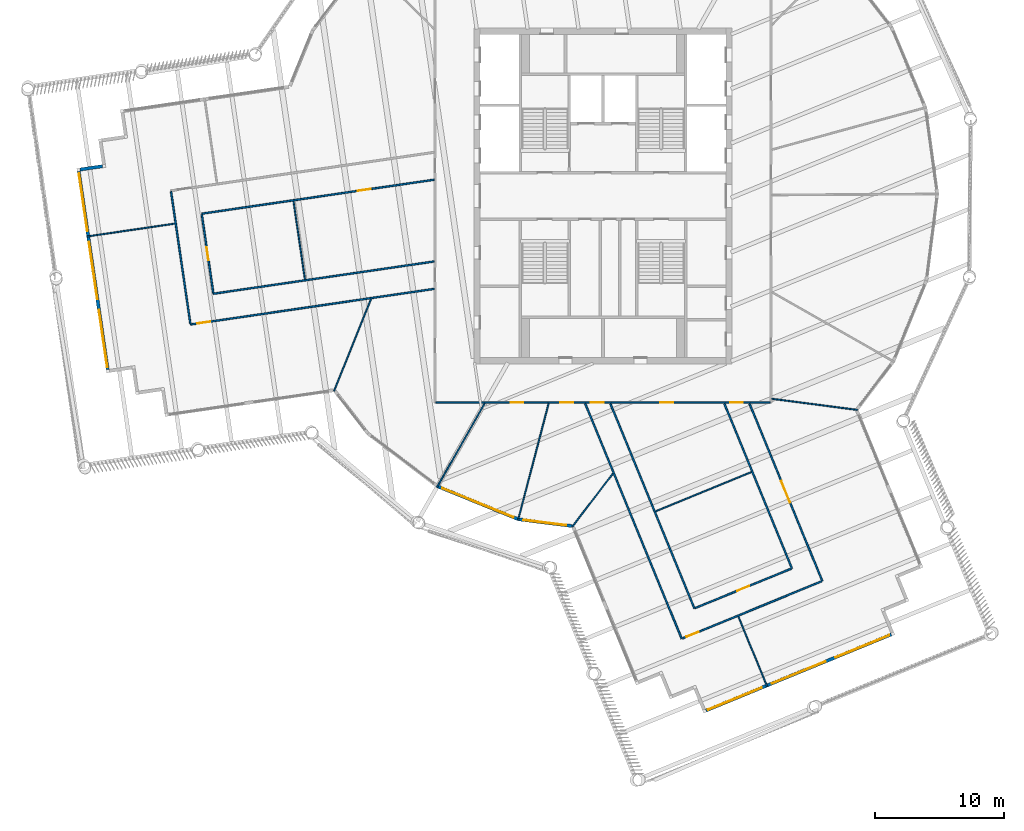
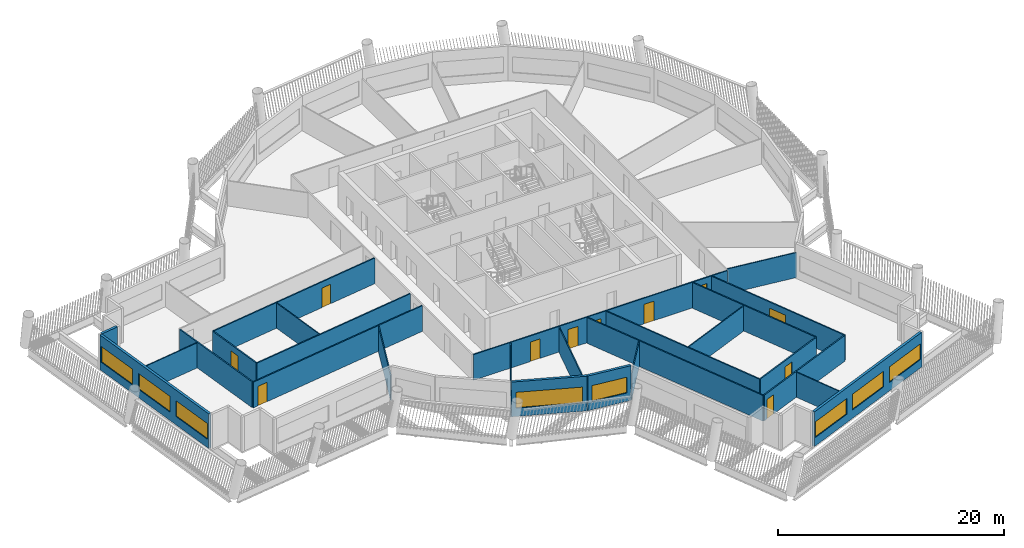
# One storey, part 3 of 15: 26 walls, 11 doors, 8 windows, 19 openings.
"""IFC4 building model written with IfcOpenShell, lengths in metres."""

from ifc_helpers import new_model, si_unit, direction, frame, frame_2d, origin, place, context, subcontext, project, spatial, rectangle, extrude, material, layer, layer_set, type_object, element, fill, save


model = new_model("IFC4")

# Units and contexts
model_context = context("Model", 3, precision=1e-05, world=origin(), true_north=direction((0.0, 1.0)))
body_context = subcontext(model_context, "Body", "Model", "MODEL_VIEW")
ifc_project = project(units=[si_unit("LENGTHUNIT", "METRE"), si_unit("AREAUNIT", "SQUARE_METRE"), si_unit("VOLUMEUNIT", "CUBIC_METRE"), si_unit("PLANEANGLEUNIT", "RADIAN"), si_unit("MASSUNIT", "GRAM", prefix="KILO")], contexts=[model_context])

# Site, building, storey
site_placement = place(None, origin())
site = spatial("IfcSite", under=ifc_project, at=site_placement, CompositionType="ELEMENT")
building_placement = place(site_placement, origin())
building = spatial("IfcBuilding", under=site, at=building_placement, Name="Tarsis Ring Headquarters", CompositionType="ELEMENT")
storey_placement = place(building_placement, frame((0.0, 0.0, 319.699951171875)))
storey = spatial("IfcBuildingStorey", under=building, at=storey_placement, Name="L75", CompositionType="ELEMENT", Elevation=319.699951171875)

# Walls
ifc_material_1 = material(Name="Gypsum board on steel studs", Category="steel")
ifc_layer_1 = layer(ifc_material_1, 0.10009765625)
ifc_layer_set_1 = layer_set([ifc_layer_1], Name="FL partition 100 unrated")
wall_type_1 = type_object("IfcWallType", Name="FL partition 100 unrated", PredefinedType="PARTITIONING", material=ifc_layer_set_1)
wall_1_placement = place(storey_placement, frame((-6.57568359375, -25.100830078125, 0.0), z_axis=(0.0, 0.0, 1.0), x_axis=(0.253421140108, 0.967356049108, 0.0)))
element("IfcWall", 1, at=wall_1_placement, inside=storey, type_object=wall_type_1, Name="Partition PW3", PredefinedType="PARTITIONING", context=body_context, shape_type="SweptSolid", body=[
    extrude(rectangle(XDim=9.338134765625, YDim=0.10009765625, at=frame_2d((4.6689453125, 0.0))), origin(), (0.0, 0.0, 1.0), 2.699951171875),
])
wall_2_placement = place(storey_placement, frame((4.06689453125, -24.414794921875, 0.0), z_axis=(0.0, 0.0, 1.0), x_axis=(0.92507539987, 0.379783496949, 0.0)))
element("IfcWall", 2, at=wall_2_placement, inside=storey, type_object=wall_type_1, Name="Partition PW3", PredefinedType="PARTITIONING", context=body_context, shape_type="SweptSolid", body=[
    extrude(rectangle(XDim=8.02001953125, YDim=0.10009765625, at=frame_2d((4.010009765625, 0.0))), origin(), (0.0, 0.0, 1.0), 2.699951171875),
])
wall_3_placement = place(storey_placement, frame((-20.81396484375, -15.095703125, 0.0), z_axis=(0.0, 0.0, 1.0), x_axis=(0.373483972618, 0.92763663263, 0.0)))
element("IfcWall", 3, at=wall_3_placement, inside=storey, type_object=wall_type_1, Name="Partition PW3", PredefinedType="PARTITIONING", context=body_context, shape_type="SweptSolid", body=[
    extrude(rectangle(XDim=7.657958984375, YDim=0.10009765625, at=frame_2d((3.8291015625, 0.0))), origin(), (0.0, 0.0, 1.0), 2.699951171875),
])
wall_4_placement = place(storey_placement, frame((-12.84814453125, -22.543701171875, 0.0), z_axis=(0.0, 0.0, 1.0), x_axis=(0.495145844199, 0.86880987159, 0.0)))
element("IfcWall", 4, at=wall_4_placement, inside=storey, type_object=wall_type_1, Name="Partition PW3", PredefinedType="PARTITIONING", context=body_context, shape_type="SweptSolid", body=[
    extrude(rectangle(XDim=7.44189453125, YDim=0.10009765625, at=frame_2d((3.720947265625, 0.0))), origin(), (0.0, 0.0, 1.0), 2.699951171875),
])
wall_5_placement = place(storey_placement, frame((-39.916015625, -3.138916015625, 0.0), z_axis=(0.0, 0.0, 1.0), x_axis=(0.989475755125, 0.144698756107, 0.0)))
element("IfcWall", 5, at=wall_5_placement, inside=storey, type_object=wall_type_1, Name="Partition PW3", PredefinedType="PARTITIONING", context=body_context, shape_type="SweptSolid", body=[
    extrude(rectangle(XDim=6.85009765625, YDim=0.10009765625, at=frame_2d((3.425048828125, 0.0))), origin(), (0.0, 0.0, 1.0), 2.699951171875),
])
wall_6_placement = place(storey_placement, frame((13.06982421875, -15.701904296875, 0.0), z_axis=(0.0, 0.0, 1.0), x_axis=(0.991603468973, -0.129315738875, 0.0)))
element("IfcWall", 6, at=wall_6_placement, inside=storey, type_object=wall_type_1, Name="Partition PW3", PredefinedType="PARTITIONING", context=body_context, shape_type="SweptSolid", body=[
    extrude(rectangle(XDim=6.677734375, YDim=0.10009765625, at=frame_2d((3.3388671875, 0.0))), origin(), (0.0, 0.0, 1.0), 2.699951171875),
])
wall_7_placement = place(storey_placement, frame((-23.95263671875, -0.410400390625, 0.0), z_axis=(0.0, 0.0, 1.0), x_axis=(0.144693439651, -0.989476532578, 0.0)))
element("IfcWall", 7, at=wall_7_placement, inside=storey, type_object=wall_type_1, Name="Partition PW3", PredefinedType="PARTITIONING", context=body_context, shape_type="SweptSolid", body=[
    extrude(rectangle(XDim=6.119873046875, YDim=0.10009765625, at=frame_2d((3.06005859375, 0.0))), origin(), (0.0, 0.0, 1.0), 2.699951171875),
])
wall_8_placement = place(storey_placement, frame((10.476806640625, -32.5498046875, 0.0), z_axis=(0.0, 0.0, 1.0), x_axis=(0.379758425744, -0.925085692288, 0.0)))
element("IfcWall", 8, at=wall_8_placement, inside=storey, type_object=wall_type_1, Name="Partition PW3", PredefinedType="PARTITIONING", context=body_context, shape_type="SweptSolid", body=[
    extrude(rectangle(XDim=5.85986328125, YDim=0.10009765625, at=frame_2d((2.929931640625, 0.0))), origin(), (0.0, 0.0, 1.0), 2.699951171875),
])
wall_9_placement = place(storey_placement, frame((-2.38037109375, -25.601318359375, 0.0), z_axis=(0.0, 0.0, 1.0), x_axis=(0.607770904396, 0.794112415071, 0.0)))
element("IfcWall", 9, at=wall_9_placement, inside=storey, type_object=wall_type_1, Name="Partition PW3", PredefinedType="PARTITIONING", context=body_context, shape_type="SweptSolid", body=[
    extrude(rectangle(XDim=5.168701171875, YDim=0.10009765625, at=frame_2d((2.58447265625, 0.0))), origin(), (0.0, 0.0, 1.0), 2.699951171875),
])

# Wall, openings, doors
ifc_layer_2 = layer(ifc_material_1, 0.125)
ifc_layer_set_2 = layer_set([ifc_layer_2], Name="FL partition 125 EI 60 H2770")
wall_type_2 = type_object("IfcWallType", Name="FL partition 125 EI 60 H2770", PredefinedType="PARTITIONING", material=ifc_layer_set_2)
wall_10_placement = place(storey_placement, frame((-12.93994140625, -16.0, 0.0), z_axis=(0.0, 0.0, 1.0), x_axis=(1.0, 0.0, 0.0)))
wall_10 = element("IfcWall", 10, at=wall_10_placement, inside=storey, type_object=wall_type_2, Name="Partition PW1", PredefinedType="PARTITIONING", context=body_context, shape_type="SweptSolid", body=[
    extrude(rectangle(XDim=25.8798828125, YDim=0.125, at=frame_2d((12.93994140625, 0.0))), origin(), (0.0, 0.0, 1.0), 2.77001953125),
])
opening_1_placement = place(wall_10_placement, frame((9.6396484375, 0.0, 0.0)))
opening_1 = element("IfcOpeningElement", 11, at=opening_1_placement, cuts=wall_10, Name="Opening D75.14", PredefinedType="OPENING", context=body_context, shape_type="SweptSolid", body=[
    extrude(rectangle(XDim=1.0, YDim=2.10009765625, at=frame_2d((0.5, 1.050048828125))), frame((0.0, 0.072509765625, 0.0), z_axis=(0.0, -1.0, 0.0), x_axis=(1.0, 0.0, 0.0)), (0.0, 0.0, 1.0), 0.14501953125),
])
opening_2_placement = place(wall_10_placement, frame((5.784912109375, 0.0, 0.0)))
opening_2 = element("IfcOpeningElement", 12, at=opening_2_placement, cuts=wall_10, Name="Opening D75.15", PredefinedType="OPENING", context=body_context, shape_type="SweptSolid", body=[
    extrude(rectangle(XDim=1.0, YDim=2.10009765625, at=frame_2d((0.5, 1.050048828125))), frame((0.0, 0.072509765625, 0.0), z_axis=(0.0, -1.0, 0.0), x_axis=(1.0, 0.0, 0.0)), (0.0, 0.0, 1.0), 0.14501953125),
])
opening_3_placement = place(wall_10_placement, frame((17.38720703125, 0.0, 0.0)))
opening_3 = element("IfcOpeningElement", 13, at=opening_3_placement, cuts=wall_10, Name="Opening D75.19", PredefinedType="OPENING", context=body_context, shape_type="SweptSolid", body=[
    extrude(rectangle(XDim=1.0, YDim=2.10009765625, at=frame_2d((0.5, 1.050048828125))), frame((0.0, 0.072509765625, 0.0), z_axis=(0.0, -1.0, 0.0), x_axis=(1.0, 0.0, 0.0)), (0.0, 0.0, 1.0), 0.14501953125),
])
opening_4_placement = place(wall_10_placement, frame((12.00390625, 0.0, 0.0)))
opening_4 = element("IfcOpeningElement", 14, at=opening_4_placement, cuts=wall_10, Name="Opening D75.21", PredefinedType="OPENING", context=body_context, shape_type="SweptSolid", body=[
    extrude(rectangle(XDim=1.0, YDim=2.10009765625, at=frame_2d((0.5, 1.050048828125))), frame((0.0, 0.072509765625, 0.0), z_axis=(0.0, -1.0, 0.0), x_axis=(1.0, 0.0, 0.0)), (0.0, 0.0, 1.0), 0.14501953125),
])
opening_5_placement = place(wall_10_placement, frame((22.7705078125, 0.0, 0.0)))
opening_5 = element("IfcOpeningElement", 15, at=opening_5_placement, cuts=wall_10, Name="Opening D75.22", PredefinedType="OPENING", context=body_context, shape_type="SweptSolid", body=[
    extrude(rectangle(XDim=1.0, YDim=2.10009765625, at=frame_2d((0.5, 1.050048828125))), frame((0.0, 0.072509765625, 0.0), z_axis=(0.0, -1.0, 0.0), x_axis=(1.0, 0.0, 0.0)), (0.0, 0.0, 1.0), 0.14501953125),
])
ifc_material_2 = material(Name="Fire-rated timber door leaf in steel frame", Category="steel")
door_type_1 = type_object("IfcDoorType", Name="FL door FD60-1000", OperationType="NOTDEFINED", PredefinedType="DOOR", material=ifc_material_2)
door_1_placement = place(opening_1_placement, origin())
door_1 = element("IfcDoor", 16, at=door_1_placement, inside=storey, type_object=door_type_1, Name="Door D75.14", OperationType="SINGLE_SWING_LEFT", OverallHeight=2.10009765625, OverallWidth=1.0, PredefinedType="DOOR", context=body_context, shape_type="SweptSolid", body=[
    extrude(rectangle(XDim=1.0, YDim=2.10009765625, at=frame_2d((0.5, 1.050048828125))), frame((0.0, 0.02490234375, 0.0), z_axis=(0.0, -1.0, 0.0), x_axis=(1.0, 0.0, 0.0)), (0.0, 0.0, 1.0), 0.050048828125),
])
fill(opening_1, door_1)
door_2_placement = place(opening_2_placement, origin())
door_2 = element("IfcDoor", 17, at=door_2_placement, inside=storey, type_object=door_type_1, Name="Door D75.15", OperationType="SINGLE_SWING_RIGHT", OverallHeight=2.10009765625, OverallWidth=1.0, PredefinedType="DOOR", context=body_context, shape_type="SweptSolid", body=[
    extrude(rectangle(XDim=1.0, YDim=2.10009765625, at=frame_2d((0.5, 1.050048828125))), frame((0.0, 0.02490234375, 0.0), z_axis=(0.0, -1.0, 0.0), x_axis=(1.0, 0.0, 0.0)), (0.0, 0.0, 1.0), 0.050048828125),
])
fill(opening_2, door_2)
door_3_placement = place(opening_3_placement, origin())
door_3 = element("IfcDoor", 18, at=door_3_placement, inside=storey, type_object=door_type_1, Name="Door D75.19", OperationType="SINGLE_SWING_RIGHT", OverallHeight=2.10009765625, OverallWidth=1.0, PredefinedType="DOOR", context=body_context, shape_type="SweptSolid", body=[
    extrude(rectangle(XDim=1.0, YDim=2.10009765625, at=frame_2d((0.5, 1.050048828125))), frame((0.0, 0.02490234375, 0.0), z_axis=(0.0, -1.0, 0.0), x_axis=(1.0, 0.0, 0.0)), (0.0, 0.0, 1.0), 0.050048828125),
])
fill(opening_3, door_3)
door_4_placement = place(opening_4_placement, origin())
door_4 = element("IfcDoor", 19, at=door_4_placement, inside=storey, type_object=door_type_1, Name="Door D75.21", OperationType="SINGLE_SWING_RIGHT", OverallHeight=2.10009765625, OverallWidth=1.0, PredefinedType="DOOR", context=body_context, shape_type="SweptSolid", body=[
    extrude(rectangle(XDim=1.0, YDim=2.10009765625, at=frame_2d((0.5, 1.050048828125))), frame((0.0, 0.02490234375, 0.0), z_axis=(0.0, -1.0, 0.0), x_axis=(1.0, 0.0, 0.0)), (0.0, 0.0, 1.0), 0.050048828125),
])
fill(opening_4, door_4)
door_5_placement = place(opening_5_placement, origin())
door_5 = element("IfcDoor", 20, at=door_5_placement, inside=storey, type_object=door_type_1, Name="Door D75.22", OperationType="SINGLE_SWING_LEFT", OverallHeight=2.10009765625, OverallWidth=1.0, PredefinedType="DOOR", context=body_context, shape_type="SweptSolid", body=[
    extrude(rectangle(XDim=1.0, YDim=2.10009765625, at=frame_2d((0.5, 1.050048828125))), frame((0.0, 0.02490234375, 0.0), z_axis=(0.0, -1.0, 0.0), x_axis=(1.0, 0.0, 0.0)), (0.0, 0.0, 1.0), 0.050048828125),
])
fill(opening_5, door_5)

# Wall
wall_11_placement = place(storey_placement, frame((-1.375, -16.083251953125, 0.0), z_axis=(0.0, 0.0, 1.0), x_axis=(0.379781691817, -0.925076140953, 0.0)))
element("IfcWall", 21, at=wall_11_placement, inside=storey, type_object=wall_type_2, Name="Partition PW1", PredefinedType="PARTITIONING", context=body_context, shape_type="SweptSolid", body=[
    extrude(rectangle(XDim=19.6640625, YDim=0.125, at=frame_2d((9.83203125, 0.0))), origin(), (0.0, 0.0, 1.0), 2.77001953125),
])

# Wall, opening, door
wall_12_placement = place(storey_placement, frame((-31.925537109375, -9.954345703125, 0.0), z_axis=(0.0, 0.0, 1.0), x_axis=(0.989476995725, 0.144690272412, 0.0)))
wall_12 = element("IfcWall", 22, at=wall_12_placement, inside=storey, type_object=wall_type_2, Name="Partition PW1", PredefinedType="PARTITIONING", context=body_context, shape_type="SweptSolid", body=[
    extrude(rectangle(XDim=19.056640625, YDim=0.125, at=frame_2d((9.5283203125, 0.0))), origin(), (0.0, 0.0, 1.0), 2.77001953125),
])
opening_6_placement = place(wall_12_placement, frame((0.550048828125, 0.0, 0.0)))
opening_6 = element("IfcOpeningElement", 23, at=opening_6_placement, cuts=wall_12, Name="Opening D75.01", PredefinedType="OPENING", context=body_context, shape_type="SweptSolid", body=[
    extrude(rectangle(XDim=1.0, YDim=2.10009765625, at=frame_2d((0.5, 1.050048828125))), frame((0.0, 0.072509765625, 0.0), z_axis=(0.0, -1.0, 0.0), x_axis=(1.0, 0.0, 0.0)), (0.0, 0.0, 1.0), 0.14501953125),
])
door_6_placement = place(opening_6_placement, origin())
door_6 = element("IfcDoor", 24, at=door_6_placement, inside=storey, type_object=door_type_1, Name="Door D75.01", OperationType="SINGLE_SWING_RIGHT", OverallHeight=2.10009765625, OverallWidth=1.0, PredefinedType="DOOR", context=body_context, shape_type="SweptSolid", body=[
    extrude(rectangle(XDim=1.0, YDim=2.10009765625, at=frame_2d((0.5, 1.050048828125))), frame((0.0, 0.02490234375, 0.0), z_axis=(0.0, -1.0, 0.0), x_axis=(1.0, 0.0, 0.0)), (0.0, 0.0, 1.0), 0.050048828125),
])
fill(opening_6, door_6)

wall_13_placement = place(storey_placement, frame((-31.057373046875, -1.378662109375, 0.0), z_axis=(0.0, 0.0, 1.0), x_axis=(0.989475091285, 0.144703295493, 0.0)))
wall_13 = element("IfcWall", 25, at=wall_13_placement, inside=storey, type_object=wall_type_2, Name="Partition PW1", PredefinedType="PARTITIONING", context=body_context, shape_type="SweptSolid", body=[
    extrude(rectangle(XDim=18.179443359375, YDim=0.125, at=frame_2d((9.08984375, 0.0))), origin(), (0.0, 0.0, 1.0), 2.77001953125),
])
opening_7_placement = place(wall_13_placement, frame((12.208984375, 0.0, 0.0)))
opening_7 = element("IfcOpeningElement", 26, at=opening_7_placement, cuts=wall_13, Name="Opening D75.17", PredefinedType="OPENING", context=body_context, shape_type="SweptSolid", body=[
    extrude(rectangle(XDim=1.0, YDim=2.10009765625, at=frame_2d((0.5, 1.050048828125))), frame((0.0, 0.072509765625, 0.0), z_axis=(0.0, -1.0, 0.0), x_axis=(1.0, 0.0, 0.0)), (0.0, 0.0, 1.0), 0.14501953125),
])
door_7_placement = place(opening_7_placement, origin())
door_7 = element("IfcDoor", 27, at=door_7_placement, inside=storey, type_object=door_type_1, Name="Door D75.17", OperationType="SINGLE_SWING_RIGHT", OverallHeight=2.10009765625, OverallWidth=1.0, PredefinedType="DOOR", context=body_context, shape_type="SweptSolid", body=[
    extrude(rectangle(XDim=1.0, YDim=2.10009765625, at=frame_2d((0.5, 1.050048828125))), frame((0.0, 0.02490234375, 0.0), z_axis=(0.0, -1.0, 0.0), x_axis=(1.0, 0.0, 0.0)), (0.0, 0.0, 1.0), 0.050048828125),
])
fill(opening_7, door_7)

# Walls
wall_14_placement = place(storey_placement, frame((-30.151611328125, -7.57275390625, 0.0), z_axis=(0.0, 0.0, 1.0), x_axis=(0.989475982956, 0.144697198154, 0.0)))
element("IfcWall", 28, at=wall_14_placement, inside=storey, type_object=wall_type_2, Name="Partition PW1", PredefinedType="PARTITIONING", context=body_context, shape_type="SweptSolid", body=[
    extrude(rectangle(XDim=17.263916015625, YDim=0.125, at=frame_2d((8.6318359375, 0.0))), origin(), (0.0, 0.0, 1.0), 2.77001953125),
])
wall_15_placement = place(storey_placement, frame((0.57080078125, -16.083251953125, 0.0), z_axis=(0.0, 0.0, 1.0), x_axis=(0.379786626736, -0.925074114951, 0.0)))
element("IfcWall", 29, at=wall_15_placement, inside=storey, type_object=wall_type_2, Name="Partition PW1", PredefinedType="PARTITIONING", context=body_context, shape_type="SweptSolid", body=[
    extrude(rectangle(XDim=17.125244140625, YDim=0.125, at=frame_2d((8.5625, 0.0))), origin(), (0.0, 0.0, 1.0), 2.77001953125),
])

# Wall, opening, door
wall_16_placement = place(storey_placement, frame((11.33740234375, -16.083251953125, 0.0), z_axis=(0.0, 0.0, 1.0), x_axis=(0.379787848793, -0.925073613238, 0.0)))
wall_16 = element("IfcWall", 30, at=wall_16_placement, inside=storey, type_object=wall_type_2, Name="Partition PW1", PredefinedType="PARTITIONING", context=body_context, shape_type="SweptSolid", body=[
    extrude(rectangle(XDim=14.8359375, YDim=0.125, at=frame_2d((7.41796875, 0.0))), origin(), (0.0, 0.0, 1.0), 2.77001953125),
])
opening_8_placement = place(wall_16_placement, frame((6.472900390625, 0.0, 0.0)))
opening_8 = element("IfcOpeningElement", 31, at=opening_8_placement, cuts=wall_16, Name="Opening D75.12", PredefinedType="OPENING", context=body_context, shape_type="SweptSolid", body=[
    extrude(rectangle(XDim=1.800048828125, YDim=2.10009765625, at=frame_2d((0.89990234375, 1.050048828125))), frame((0.0, 0.072509765625, 0.0), z_axis=(0.0, -1.0, 0.0), x_axis=(1.0, 0.0, 0.0)), (0.0, 0.0, 1.0), 0.14501953125),
])
door_type_2 = type_object("IfcDoorType", Name="FL door FD60-1800", OperationType="DOUBLE_DOOR_SINGLE_SWING", PredefinedType="DOOR", material=ifc_material_2)
door_8_placement = place(opening_8_placement, origin())
door_8 = element("IfcDoor", 32, at=door_8_placement, inside=storey, type_object=door_type_2, Name="Door D75.12", OperationType="DOUBLE_DOOR_SINGLE_SWING", OverallHeight=2.10009765625, OverallWidth=1.800048828125, PredefinedType="DOOR", context=body_context, shape_type="SweptSolid", body=[
    extrude(rectangle(XDim=1.800048828125, YDim=2.10009765625, at=frame_2d((0.89990234375, 1.050048828125))), frame((0.0, 0.02490234375, 0.0), z_axis=(0.0, -1.0, 0.0), x_axis=(1.0, 0.0, 0.0)), (0.0, 0.0, 1.0), 0.050048828125),
])
fill(opening_8, door_8)

# Wall
wall_17_placement = place(storey_placement, frame((9.3916015625, -16.083251953125, 0.0), z_axis=(0.0, 0.0, 1.0), x_axis=(0.379794008385, -0.925071084401, 0.0)))
element("IfcWall", 33, at=wall_17_placement, inside=storey, type_object=wall_type_2, Name="Partition PW1", PredefinedType="PARTITIONING", context=body_context, shape_type="SweptSolid", body=[
    extrude(rectangle(XDim=13.775146484375, YDim=0.125, at=frame_2d((6.8876953125, 0.0))), origin(), (0.0, 0.0, 1.0), 2.77001953125),
])

# Wall, opening, door
wall_18_placement = place(storey_placement, frame((6.1484375, -34.251220703125, 0.0), z_axis=(0.0, 0.0, 1.0), x_axis=(0.925078511598, 0.379775917324, 0.0)))
wall_18 = element("IfcWall", 34, at=wall_18_placement, inside=storey, type_object=wall_type_2, Name="Partition PW1", PredefinedType="PARTITIONING", context=body_context, shape_type="SweptSolid", body=[
    extrude(rectangle(XDim=11.64013671875, YDim=0.125, at=frame_2d((5.820068359375, 0.0))), origin(), (0.0, 0.0, 1.0), 2.77001953125),
])
opening_9_placement = place(wall_18_placement, frame((0.340087890625, 0.0, 0.0)))
opening_9 = element("IfcOpeningElement", 35, at=opening_9_placement, cuts=wall_18, Name="Opening D75.13", PredefinedType="OPENING", context=body_context, shape_type="SweptSolid", body=[
    extrude(rectangle(XDim=1.0, YDim=2.10009765625, at=frame_2d((0.5, 1.050048828125))), frame((0.0, 0.072509765625, 0.0), z_axis=(0.0, -1.0, 0.0), x_axis=(1.0, 0.0, 0.0)), (0.0, 0.0, 1.0), 0.14501953125),
])
door_9_placement = place(opening_9_placement, origin())
door_9 = element("IfcDoor", 36, at=door_9_placement, inside=storey, type_object=door_type_1, Name="Door D75.13", OperationType="SINGLE_SWING_RIGHT", OverallHeight=2.10009765625, OverallWidth=1.0, PredefinedType="DOOR", context=body_context, shape_type="SweptSolid", body=[
    extrude(rectangle(XDim=1.0, YDim=2.10009765625, at=frame_2d((0.5, 1.050048828125))), frame((0.0, 0.02490234375, 0.0), z_axis=(0.0, -1.0, 0.0), x_axis=(1.0, 0.0, 0.0)), (0.0, 0.0, 1.0), 0.050048828125),
])
fill(opening_9, door_9)

# Wall
wall_19_placement = place(storey_placement, frame((-33.430419921875, 0.336181640625, 0.0), z_axis=(0.0, 0.0, 1.0), x_axis=(0.144689800106, -0.98947706479, 0.0)))
element("IfcWall", 37, at=wall_19_placement, inside=storey, type_object=wall_type_2, Name="Partition PW1", PredefinedType="PARTITIONING", context=body_context, shape_type="SweptSolid", body=[
    extrude(rectangle(XDim=10.340087890625, YDim=0.125, at=frame_2d((5.169921875, 0.0))), origin(), (0.0, 0.0, 1.0), 2.77001953125),
])

# Wall, opening, door
wall_20_placement = place(storey_placement, frame((7.130126953125, -31.90234375, 0.0), z_axis=(0.0, 0.0, 1.0), x_axis=(0.92507316744, 0.37978893465, 0.0)))
wall_20 = element("IfcWall", 38, at=wall_20_placement, inside=storey, type_object=wall_type_2, Name="Partition PW1", PredefinedType="PARTITIONING", context=body_context, shape_type="SweptSolid", body=[
    extrude(rectangle(XDim=8.039794921875, YDim=0.125, at=frame_2d((4.02001953125, 0.0))), origin(), (0.0, 0.0, 1.0), 2.77001953125),
])
opening_10_placement = place(wall_20_placement, frame((3.52001953125, 0.0, 0.0)))
opening_10 = element("IfcOpeningElement", 39, at=opening_10_placement, cuts=wall_20, Name="Opening D75.20", PredefinedType="OPENING", context=body_context, shape_type="SweptSolid", body=[
    extrude(rectangle(XDim=1.0, YDim=2.10009765625, at=frame_2d((0.5, 1.050048828125))), frame((0.0, 0.072509765625, 0.0), z_axis=(0.0, -1.0, 0.0), x_axis=(1.0, 0.0, 0.0)), (0.0, 0.0, 1.0), 0.14501953125),
])
door_10_placement = place(opening_10_placement, origin())
door_10 = element("IfcDoor", 40, at=door_10_placement, inside=storey, type_object=door_type_1, Name="Door D75.20", OperationType="SINGLE_SWING_LEFT", OverallHeight=2.10009765625, OverallWidth=1.0, PredefinedType="DOOR", context=body_context, shape_type="SweptSolid", body=[
    extrude(rectangle(XDim=1.0, YDim=2.10009765625, at=frame_2d((0.5, 1.050048828125))), frame((0.0, 0.02490234375, 0.0), z_axis=(0.0, -1.0, 0.0), x_axis=(1.0, 0.0, 0.0)), (0.0, 0.0, 1.0), 0.050048828125),
])
fill(opening_10, door_10)

wall_21_placement = place(storey_placement, frame((-31.048583984375, -1.43798828125, 0.0), z_axis=(0.0, 0.0, 1.0), x_axis=(0.144699481076, -0.989475649107, 0.0)))
wall_21 = element("IfcWall", 41, at=wall_21_placement, inside=storey, type_object=wall_type_2, Name="Partition PW1", PredefinedType="PARTITIONING", context=body_context, shape_type="SweptSolid", body=[
    extrude(rectangle(XDim=6.139892578125, YDim=0.125, at=frame_2d((3.06982421875, 0.0))), origin(), (0.0, 0.0, 1.0), 2.77001953125),
])
opening_11_placement = place(wall_21_placement, frame((2.570068359375, 0.0, 0.0)))
opening_11 = element("IfcOpeningElement", 42, at=opening_11_placement, cuts=wall_21, Name="Opening D75.18", PredefinedType="OPENING", context=body_context, shape_type="SweptSolid", body=[
    extrude(rectangle(XDim=1.0, YDim=2.10009765625, at=frame_2d((0.5, 1.050048828125))), frame((0.0, 0.072509765625, 0.0), z_axis=(0.0, -1.0, 0.0), x_axis=(1.0, 0.0, 0.0)), (0.0, 0.0, 1.0), 0.14501953125),
])
door_11_placement = place(opening_11_placement, origin())
door_11 = element("IfcDoor", 43, at=door_11_placement, inside=storey, type_object=door_type_1, Name="Door D75.18", OperationType="SINGLE_SWING_LEFT", OverallHeight=2.10009765625, OverallWidth=1.0, PredefinedType="DOOR", context=body_context, shape_type="SweptSolid", body=[
    extrude(rectangle(XDim=1.0, YDim=2.10009765625, at=frame_2d((0.5, 1.050048828125))), frame((0.0, 0.02490234375, 0.0), z_axis=(0.0, -1.0, 0.0), x_axis=(1.0, 0.0, 0.0)), (0.0, 0.0, 1.0), 0.050048828125),
])
fill(opening_11, door_11)

# Wall, opening, window
ifc_material_3 = material(Name="Terracotta clad insulated panel wall", Category="masonry")
ifc_layer_3 = layer(ifc_material_3, 0.25)
ifc_layer_set_3 = layer_set([ifc_layer_3], Name="Facade wall terracotta panel 250")
wall_type_3 = type_object("IfcWallType", Name="Facade wall terracotta panel 250", PredefinedType="STANDARD", material=ifc_layer_set_3)
wall_22_placement = place(storey_placement, frame((-12.79638671875, -22.485595703125, 0.0), z_axis=(0.0, 0.0, 1.0), x_axis=(0.925996439431, -0.377532242545, 0.0)))
wall_22 = element("IfcWall", 44, at=wall_22_placement, inside=storey, type_object=wall_type_3, Name="External wall L75-04", PredefinedType="STANDARD", context=body_context, shape_type="SweptSolid", body=[
    extrude(rectangle(XDim=6.721435546875, YDim=0.25, at=frame_2d((3.36083984375, 0.0))), origin(), (0.0, 0.0, 1.0), 3.739990234375),
])
opening_12_placement = place(wall_22_placement, frame((0.3857421875, 0.0, 0.89990234375)))
opening_12 = element("IfcOpeningElement", 45, at=opening_12_placement, cuts=wall_22, Name="Opening WN07", PredefinedType="OPENING", context=body_context, shape_type="SweptSolid", body=[
    extrude(rectangle(XDim=5.949951171875, YDim=1.699951171875, at=frame_2d((2.97509765625, 0.85009765625))), frame((0.0, 0.135009765625, 0.0), z_axis=(0.0, -1.0, 0.0), x_axis=(1.0, 0.0, 0.0)), (0.0, 0.0, 1.0), 0.27001953125),
])
ifc_material_4 = material(Name="Aluminium framed double glazing", Category="aluminium")
window_type_1 = type_object("IfcWindowType", Name="Facade window 5950 x 1700", PartitioningType="SINGLE_PANEL", PredefinedType="WINDOW", material=ifc_material_4)
window_1_placement = place(opening_12_placement, origin())
window_1 = element("IfcWindow", 46, at=window_1_placement, inside=storey, type_object=window_type_1, Name="Window L75-04.1", OverallHeight=1.699951171875, OverallWidth=5.949951171875, PartitioningType="SINGLE_PANEL", PredefinedType="WINDOW", context=body_context, shape_type="SweptSolid", body=[
    extrude(rectangle(XDim=5.949951171875, YDim=1.699951171875, at=frame_2d((2.97509765625, 0.85009765625))), frame((0.0, 0.030029296875, 0.0), z_axis=(0.0, -1.0, 0.0), x_axis=(1.0, 0.0, 0.0)), (0.0, 0.0, 1.0), 0.06005859375),
])
fill(opening_12, window_1)

wall_23_placement = place(storey_placement, frame((-6.54052734375, -25.03125, 0.0), z_axis=(0.0, 0.0, 1.0), x_axis=(0.992153609088, -0.125024861423, 0.0)))
wall_23 = element("IfcWall", 47, at=wall_23_placement, inside=storey, type_object=wall_type_3, Name="External wall L75-05", PredefinedType="STANDARD", context=body_context, shape_type="SweptSolid", body=[
    extrude(rectangle(XDim=4.157470703125, YDim=0.25, at=frame_2d((2.07861328125, 0.0))), origin(), (0.0, 0.0, 1.0), 3.739990234375),
])
opening_13_placement = place(wall_23_placement, frame((0.38720703125, 0.0, 0.89990234375)))
opening_13 = element("IfcOpeningElement", 48, at=opening_13_placement, cuts=wall_23, Name="Opening WN01", PredefinedType="OPENING", context=body_context, shape_type="SweptSolid", body=[
    extrude(rectangle(XDim=3.35009765625, YDim=1.699951171875, at=frame_2d((1.675048828125, 0.85009765625))), frame((0.0, 0.135009765625, 0.0), z_axis=(0.0, -1.0, 0.0), x_axis=(1.0, 0.0, 0.0)), (0.0, 0.0, 1.0), 0.27001953125),
])
window_type_2 = type_object("IfcWindowType", Name="Facade window 3350 x 1700", PartitioningType="SINGLE_PANEL", PredefinedType="WINDOW", material=ifc_material_4)
window_2_placement = place(opening_13_placement, origin())
window_2 = element("IfcWindow", 49, at=window_2_placement, inside=storey, type_object=window_type_2, Name="Window L75-05.1", OverallHeight=1.699951171875, OverallWidth=3.35009765625, PartitioningType="SINGLE_PANEL", PredefinedType="WINDOW", context=body_context, shape_type="SweptSolid", body=[
    extrude(rectangle(XDim=3.35009765625, YDim=1.699951171875, at=frame_2d((1.675048828125, 0.85009765625))), frame((0.0, 0.030029296875, 0.0), z_axis=(0.0, -1.0, 0.0), x_axis=(1.0, 0.0, 0.0)), (0.0, 0.0, 1.0), 0.06005859375),
])
fill(opening_13, window_2)

# Wall, openings, windows
wall_24_placement = place(storey_placement, frame((7.974365234375, -39.830810546875, 0.0), z_axis=(0.0, 0.0, 1.0), x_axis=(0.925073285332, 0.379788647493, 0.0)))
wall_24 = element("IfcWall", 50, at=wall_24_placement, inside=storey, type_object=wall_type_3, Name="External wall L75-11", PredefinedType="STANDARD", context=body_context, shape_type="SweptSolid", body=[
    extrude(rectangle(XDim=15.5, YDim=0.25, at=frame_2d((7.75, 0.0))), origin(), (0.0, 0.0, 1.0), 3.739990234375),
])
opening_14_placement = place(wall_24_placement, frame((0.166748046875, 0.0, 0.89990234375)))
opening_14 = element("IfcOpeningElement", 51, at=opening_14_placement, cuts=wall_24, Name="Opening WN04", PredefinedType="OPENING", context=body_context, shape_type="SweptSolid", body=[
    extrude(rectangle(XDim=4.5, YDim=1.699951171875, at=frame_2d((2.25, 0.85009765625))), frame((0.0, 0.135009765625, 0.0), z_axis=(0.0, -1.0, 0.0), x_axis=(1.0, 0.0, 0.0)), (0.0, 0.0, 1.0), 0.27001953125),
])
opening_15_placement = place(wall_24_placement, frame((5.5, 0.0, 0.89990234375)))
opening_15 = element("IfcOpeningElement", 52, at=opening_15_placement, cuts=wall_24, Name="Opening WN04", PredefinedType="OPENING", context=body_context, shape_type="SweptSolid", body=[
    extrude(rectangle(XDim=4.5, YDim=1.699951171875, at=frame_2d((2.25, 0.85009765625))), frame((0.0, 0.135009765625, 0.0), z_axis=(0.0, -1.0, 0.0), x_axis=(1.0, 0.0, 0.0)), (0.0, 0.0, 1.0), 0.27001953125),
])
opening_16_placement = place(wall_24_placement, frame((10.833251953125, 0.0, 0.89990234375)))
opening_16 = element("IfcOpeningElement", 53, at=opening_16_placement, cuts=wall_24, Name="Opening WN04", PredefinedType="OPENING", context=body_context, shape_type="SweptSolid", body=[
    extrude(rectangle(XDim=4.5, YDim=1.699951171875, at=frame_2d((2.25, 0.85009765625))), frame((0.0, 0.135009765625, 0.0), z_axis=(0.0, -1.0, 0.0), x_axis=(1.0, 0.0, 0.0)), (0.0, 0.0, 1.0), 0.27001953125),
])
window_type_3 = type_object("IfcWindowType", Name="Facade window 4500 x 1700", PartitioningType="SINGLE_PANEL", PredefinedType="WINDOW", material=ifc_material_4)
window_3_placement = place(opening_14_placement, origin())
window_3 = element("IfcWindow", 54, at=window_3_placement, inside=storey, type_object=window_type_3, Name="Window L75-11.1", OverallHeight=1.699951171875, OverallWidth=4.5, PartitioningType="SINGLE_PANEL", PredefinedType="WINDOW", context=body_context, shape_type="SweptSolid", body=[
    extrude(rectangle(XDim=4.5, YDim=1.699951171875, at=frame_2d((2.25, 0.85009765625))), frame((0.0, 0.030029296875, 0.0), z_axis=(0.0, -1.0, 0.0), x_axis=(1.0, 0.0, 0.0)), (0.0, 0.0, 1.0), 0.06005859375),
])
fill(opening_14, window_3)
window_4_placement = place(opening_15_placement, origin())
window_4 = element("IfcWindow", 55, at=window_4_placement, inside=storey, type_object=window_type_3, Name="Window L75-11.2", OverallHeight=1.699951171875, OverallWidth=4.5, PartitioningType="SINGLE_PANEL", PredefinedType="WINDOW", context=body_context, shape_type="SweptSolid", body=[
    extrude(rectangle(XDim=4.5, YDim=1.699951171875, at=frame_2d((2.25, 0.85009765625))), frame((0.0, 0.030029296875, 0.0), z_axis=(0.0, -1.0, 0.0), x_axis=(1.0, 0.0, 0.0)), (0.0, 0.0, 1.0), 0.06005859375),
])
fill(opening_15, window_4)
window_5_placement = place(opening_16_placement, origin())
window_5 = element("IfcWindow", 56, at=window_5_placement, inside=storey, type_object=window_type_3, Name="Window L75-11.3", OverallHeight=1.699951171875, OverallWidth=4.5, PartitioningType="SINGLE_PANEL", PredefinedType="WINDOW", context=body_context, shape_type="SweptSolid", body=[
    extrude(rectangle(XDim=4.5, YDim=1.699951171875, at=frame_2d((2.25, 0.85009765625))), frame((0.0, 0.030029296875, 0.0), z_axis=(0.0, -1.0, 0.0), x_axis=(1.0, 0.0, 0.0)), (0.0, 0.0, 1.0), 0.06005859375),
])
fill(opening_16, window_5)

# Wall
wall_25_placement = place(storey_placement, frame((-38.739501953125, 2.29345703125, 0.0), z_axis=(0.0, 0.0, 1.0), x_axis=(-0.989481041465, -0.144662602566, 0.0)))
element("IfcWall", 57, at=wall_25_placement, inside=storey, type_object=wall_type_3, Name="External wall L75-35", PredefinedType="STANDARD", context=body_context, shape_type="SweptSolid", body=[
    extrude(rectangle(XDim=1.75, YDim=0.25, at=frame_2d((0.875, 0.0))), origin(), (0.0, 0.0, 1.0), 3.739990234375),
])

# Wall, openings, windows
wall_26_placement = place(storey_placement, frame((-40.57666015625, 1.8984375, 0.0), z_axis=(0.0, 0.0, 1.0), x_axis=(0.144688601203, -0.989477240103, 0.0)))
wall_26 = element("IfcWall", 58, at=wall_26_placement, inside=storey, type_object=wall_type_3, Name="External wall L75-36", PredefinedType="STANDARD", context=body_context, shape_type="SweptSolid", body=[
    extrude(rectangle(XDim=15.5, YDim=0.25, at=frame_2d((7.75, 0.0))), origin(), (0.0, 0.0, 1.0), 3.739990234375),
])
opening_17_placement = place(wall_26_placement, frame((0.166748046875, 0.0, 0.89990234375)))
opening_17 = element("IfcOpeningElement", 59, at=opening_17_placement, cuts=wall_26, Name="Opening WN04", PredefinedType="OPENING", context=body_context, shape_type="SweptSolid", body=[
    extrude(rectangle(XDim=4.5, YDim=1.699951171875, at=frame_2d((2.25, 0.85009765625))), frame((0.0, 0.135009765625, 0.0), z_axis=(0.0, -1.0, 0.0), x_axis=(1.0, 0.0, 0.0)), (0.0, 0.0, 1.0), 0.27001953125),
])
opening_18_placement = place(wall_26_placement, frame((5.5, 0.0, 0.89990234375)))
opening_18 = element("IfcOpeningElement", 60, at=opening_18_placement, cuts=wall_26, Name="Opening WN04", PredefinedType="OPENING", context=body_context, shape_type="SweptSolid", body=[
    extrude(rectangle(XDim=4.5, YDim=1.699951171875, at=frame_2d((2.25, 0.85009765625))), frame((0.0, 0.135009765625, 0.0), z_axis=(0.0, -1.0, 0.0), x_axis=(1.0, 0.0, 0.0)), (0.0, 0.0, 1.0), 0.27001953125),
])
opening_19_placement = place(wall_26_placement, frame((10.833251953125, 0.0, 0.89990234375)))
opening_19 = element("IfcOpeningElement", 61, at=opening_19_placement, cuts=wall_26, Name="Opening WN04", PredefinedType="OPENING", context=body_context, shape_type="SweptSolid", body=[
    extrude(rectangle(XDim=4.5, YDim=1.699951171875, at=frame_2d((2.25, 0.85009765625))), frame((0.0, 0.135009765625, 0.0), z_axis=(0.0, -1.0, 0.0), x_axis=(1.0, 0.0, 0.0)), (0.0, 0.0, 1.0), 0.27001953125),
])
window_6_placement = place(opening_17_placement, origin())
window_6 = element("IfcWindow", 62, at=window_6_placement, inside=storey, type_object=window_type_3, Name="Window L75-36.1", OverallHeight=1.699951171875, OverallWidth=4.5, PartitioningType="SINGLE_PANEL", PredefinedType="WINDOW", context=body_context, shape_type="SweptSolid", body=[
    extrude(rectangle(XDim=4.5, YDim=1.699951171875, at=frame_2d((2.25, 0.85009765625))), frame((0.0, 0.030029296875, 0.0), z_axis=(0.0, -1.0, 0.0), x_axis=(1.0, 0.0, 0.0)), (0.0, 0.0, 1.0), 0.06005859375),
])
fill(opening_17, window_6)
window_7_placement = place(opening_18_placement, origin())
window_7 = element("IfcWindow", 63, at=window_7_placement, inside=storey, type_object=window_type_3, Name="Window L75-36.2", OverallHeight=1.699951171875, OverallWidth=4.5, PartitioningType="SINGLE_PANEL", PredefinedType="WINDOW", context=body_context, shape_type="SweptSolid", body=[
    extrude(rectangle(XDim=4.5, YDim=1.699951171875, at=frame_2d((2.25, 0.85009765625))), frame((0.0, 0.030029296875, 0.0), z_axis=(0.0, -1.0, 0.0), x_axis=(1.0, 0.0, 0.0)), (0.0, 0.0, 1.0), 0.06005859375),
])
fill(opening_18, window_7)
window_8_placement = place(opening_19_placement, origin())
window_8 = element("IfcWindow", 64, at=window_8_placement, inside=storey, type_object=window_type_3, Name="Window L75-36.3", OverallHeight=1.699951171875, OverallWidth=4.5, PartitioningType="SINGLE_PANEL", PredefinedType="WINDOW", context=body_context, shape_type="SweptSolid", body=[
    extrude(rectangle(XDim=4.5, YDim=1.699951171875, at=frame_2d((2.25, 0.85009765625))), frame((0.0, 0.030029296875, 0.0), z_axis=(0.0, -1.0, 0.0), x_axis=(1.0, 0.0, 0.0)), (0.0, 0.0, 1.0), 0.06005859375),
])
fill(opening_19, window_8)

save(model, "model.ifc")
